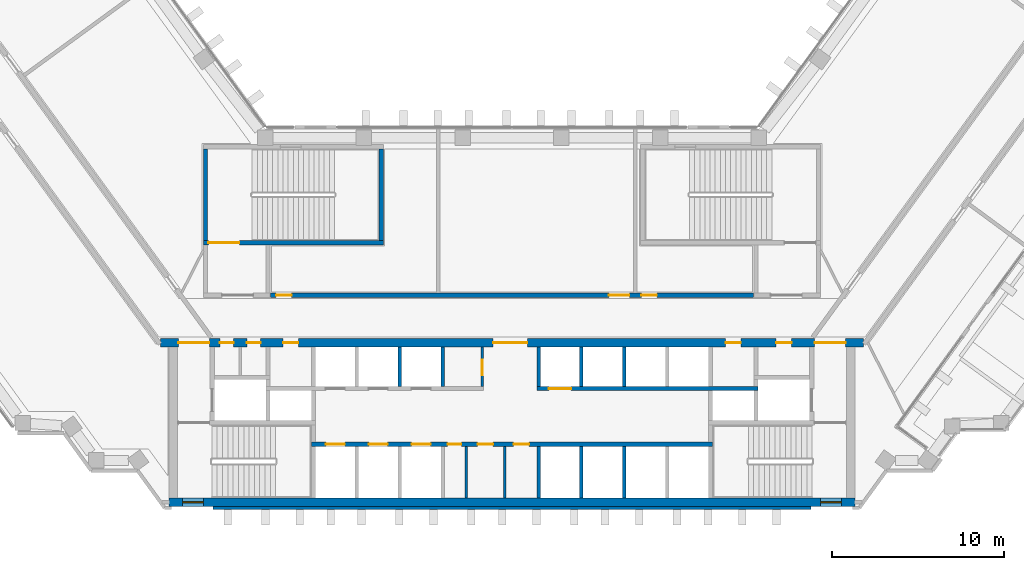
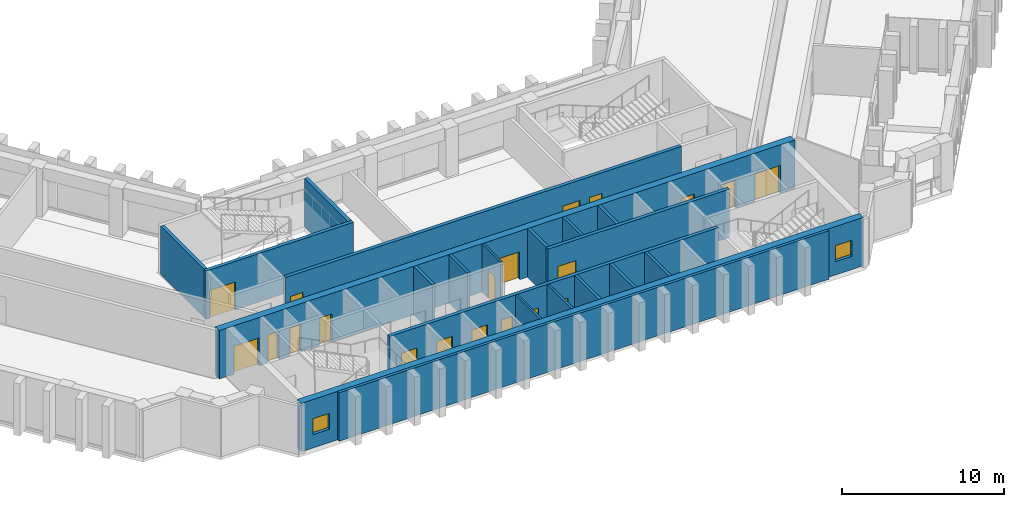
# One storey, part 7 of 14: 20 doors, 20 walls, 2 windows, 22 openings.
"""IFC4 building model written with IfcOpenShell, lengths in metres."""

from ifc_helpers import new_model, si_unit, direction, frame, frame_2d, origin, place, context, subcontext, project, spatial, rectangle, extrude, material, layer, layer_set, type_object, element, fill, save


model = new_model("IFC4")

# Units and contexts
model_context = context("Model", 3, precision=1e-05, world=origin(), true_north=direction((0.0, 1.0)))
body_context = subcontext(model_context, "Body", "Model", "MODEL_VIEW")
ifc_project = project(units=[si_unit("LENGTHUNIT", "METRE"), si_unit("AREAUNIT", "SQUARE_METRE"), si_unit("VOLUMEUNIT", "CUBIC_METRE"), si_unit("PLANEANGLEUNIT", "RADIAN"), si_unit("MASSUNIT", "GRAM", prefix="KILO")], contexts=[model_context])

# Site, building, storey
site_placement = place(None, origin())
site = spatial("IfcSite", under=ifc_project, at=site_placement, CompositionType="ELEMENT")
building_placement = place(site_placement, origin())
building = spatial("IfcBuilding", under=site, at=building_placement, Name="Quipu Civic Tower", CompositionType="ELEMENT")
storey_placement = place(building_placement, frame((0.0, 0.0, 105.0)))
storey = spatial("IfcBuildingStorey", under=building, at=storey_placement, Name="L24", CompositionType="ELEMENT", Elevation=105.0)

# Wall, openings, doors
ifc_material_1 = material(Name="Concrete C70/85", Category="concrete")
ifc_layer_1 = layer(ifc_material_1, 0.25)
ifc_layer_set_1 = layer_set([ifc_layer_1], Name="Concrete C70/85")
wall_type_1 = type_object("IfcWallType", Name="Core wall 250", PredefinedType="SHEAR", material=ifc_layer_set_1)
wall_1_placement = place(storey_placement, frame((11.699951171875, -7.375, 0.0), z_axis=(0.0, 0.0, 1.0), x_axis=(-1.0, 0.0, 0.0)))
wall_1 = element("IfcWall", 1, at=wall_1_placement, inside=storey, type_object=wall_type_1, Name="Core wall", PredefinedType="SHEAR", context=body_context, shape_type="SweptSolid", body=[
    extrude(rectangle(XDim=23.39990234375, YDim=0.25, at=frame_2d((11.699951171875, 0.0))), origin(), (0.0, 0.0, 1.0), 3.64990234375),
])
opening_1_placement = place(wall_1_placement, frame((21.449951171875, 0.0, 0.0)))
opening_1 = element("IfcOpeningElement", 2, at=opening_1_placement, cuts=wall_1, Name="Opening LD-LL1", PredefinedType="OPENING", context=body_context, shape_type="SweptSolid", body=[
    extrude(rectangle(XDim=1.10009765625, YDim=2.10009765625, at=frame_2d((0.550048828125, 1.050048828125))), frame((0.0, 0.135009765625, 0.0), z_axis=(0.0, -1.0, 0.0), x_axis=(1.0, 0.0, 0.0)), (0.0, 0.0, 1.0), 0.27001953125),
])
opening_2_placement = place(wall_1_placement, frame((18.949951171875, 0.0, 0.0)))
opening_2 = element("IfcOpeningElement", 3, at=opening_2_placement, cuts=wall_1, Name="Opening LD-LL2", PredefinedType="OPENING", context=body_context, shape_type="SweptSolid", body=[
    extrude(rectangle(XDim=1.10009765625, YDim=2.10009765625, at=frame_2d((0.550048828125, 1.050048828125))), frame((0.0, 0.135009765625, 0.0), z_axis=(0.0, -1.0, 0.0), x_axis=(1.0, 0.0, 0.0)), (0.0, 0.0, 1.0), 0.27001953125),
])
opening_3_placement = place(wall_1_placement, frame((16.449951171875, 0.0, 0.0)))
opening_3 = element("IfcOpeningElement", 4, at=opening_3_placement, cuts=wall_1, Name="Opening LD-LL3", PredefinedType="OPENING", context=body_context, shape_type="SweptSolid", body=[
    extrude(rectangle(XDim=1.10009765625, YDim=2.10009765625, at=frame_2d((0.550048828125, 1.050048828125))), frame((0.0, 0.135009765625, 0.0), z_axis=(0.0, -1.0, 0.0), x_axis=(1.0, 0.0, 0.0)), (0.0, 0.0, 1.0), 0.27001953125),
])
opening_4_placement = place(wall_1_placement, frame((14.64990234375, 0.0, 0.0)))
opening_4 = element("IfcOpeningElement", 5, at=opening_4_placement, cuts=wall_1, Name="Opening CD-01", PredefinedType="OPENING", context=body_context, shape_type="SweptSolid", body=[
    extrude(rectangle(XDim=0.800048828125, YDim=2.10009765625, at=frame_2d((0.39990234375, 1.050048828125))), frame((0.0, 0.135009765625, 0.0), z_axis=(0.0, -1.0, 0.0), x_axis=(1.0, 0.0, 0.0)), (0.0, 0.0, 1.0), 0.27001953125),
])
opening_5_placement = place(wall_1_placement, frame((12.800048828125, 0.0, 0.0)))
opening_5 = element("IfcOpeningElement", 6, at=opening_5_placement, cuts=wall_1, Name="Opening CD-02", PredefinedType="OPENING", context=body_context, shape_type="SweptSolid", body=[
    extrude(rectangle(XDim=0.89990234375, YDim=2.10009765625, at=frame_2d((0.449951171875, 1.050048828125))), frame((0.0, 0.135009765625, 0.0), z_axis=(0.0, -1.0, 0.0), x_axis=(1.0, 0.0, 0.0)), (0.0, 0.0, 1.0), 0.27001953125),
])
opening_6_placement = place(wall_1_placement, frame((10.699951171875, 0.0, 0.0)))
opening_6 = element("IfcOpeningElement", 7, at=opening_6_placement, cuts=wall_1, Name="Opening CD-03", PredefinedType="OPENING", context=body_context, shape_type="SweptSolid", body=[
    extrude(rectangle(XDim=0.89990234375, YDim=2.10009765625, at=frame_2d((0.449951171875, 1.050048828125))), frame((0.0, 0.135009765625, 0.0), z_axis=(0.0, -1.0, 0.0), x_axis=(1.0, 0.0, 0.0)), (0.0, 0.0, 1.0), 0.27001953125),
])
ifc_material_2 = material(Name="Fire rated steel door", Category="steel")
door_type_1 = type_object("IfcDoorType", Name="Fire door FD60 800 x 2100", OperationType="NOTDEFINED", PredefinedType="DOOR", material=ifc_material_2)
door_1_placement = place(opening_4_placement, origin())
door_1 = element("IfcDoor", 8, at=door_1_placement, inside=storey, type_object=door_type_1, Name="Door", OperationType="SINGLE_SWING_RIGHT", OverallHeight=2.10009765625, OverallWidth=0.800048828125, PredefinedType="DOOR", context=body_context, shape_type="SweptSolid", body=[
    extrude(rectangle(XDim=0.800048828125, YDim=2.10009765625, at=frame_2d((0.39990234375, 1.050048828125))), frame((0.0, 0.02490234375, 0.0), z_axis=(0.0, -1.0, 0.0), x_axis=(1.0, 0.0, 0.0)), (0.0, 0.0, 1.0), 0.050048828125),
])
fill(opening_4, door_1)
ifc_material_3 = material(Name="Fire rated steel door", Category="steel")
door_type_2 = type_object("IfcDoorType", Name="Fire door FD60 900 x 2100", OperationType="NOTDEFINED", PredefinedType="DOOR", material=ifc_material_3)
door_2_placement = place(opening_5_placement, origin())
door_2 = element("IfcDoor", 9, at=door_2_placement, inside=storey, type_object=door_type_2, Name="WC door", OperationType="SINGLE_SWING_RIGHT", OverallHeight=2.10009765625, OverallWidth=0.89990234375, PredefinedType="DOOR", context=body_context, shape_type="SweptSolid", body=[
    extrude(rectangle(XDim=0.89990234375, YDim=2.10009765625, at=frame_2d((0.449951171875, 1.050048828125))), frame((0.0, 0.02490234375, 0.0), z_axis=(0.0, -1.0, 0.0), x_axis=(1.0, 0.0, 0.0)), (0.0, 0.0, 1.0), 0.050048828125),
])
fill(opening_5, door_2)
door_3_placement = place(opening_6_placement, origin())
door_3 = element("IfcDoor", 10, at=door_3_placement, inside=storey, type_object=door_type_2, Name="WC door", OperationType="SINGLE_SWING_LEFT", OverallHeight=2.10009765625, OverallWidth=0.89990234375, PredefinedType="DOOR", context=body_context, shape_type="SweptSolid", body=[
    extrude(rectangle(XDim=0.89990234375, YDim=2.10009765625, at=frame_2d((0.449951171875, 1.050048828125))), frame((0.0, 0.02490234375, 0.0), z_axis=(0.0, -1.0, 0.0), x_axis=(1.0, 0.0, 0.0)), (0.0, 0.0, 1.0), 0.050048828125),
])
fill(opening_6, door_3)
ifc_material_4 = material(Name="Stainless steel", Category="steel")
door_type_3 = type_object("IfcDoorType", Name="Lift landing door 1100 x 2100", OperationType="DOUBLE_DOOR_SLIDING", PredefinedType="DOOR", material=ifc_material_4)
door_4_placement = place(opening_1_placement, origin())
door_4 = element("IfcDoor", 11, at=door_4_placement, inside=storey, type_object=door_type_3, Name="Landing door LL1", OperationType="DOUBLE_DOOR_SLIDING", OverallHeight=2.10009765625, OverallWidth=1.10009765625, PredefinedType="DOOR", context=body_context, shape_type="SweptSolid", body=[
    extrude(rectangle(XDim=1.10009765625, YDim=2.10009765625, at=frame_2d((0.550048828125, 1.050048828125))), frame((0.0, 0.02490234375, 0.0), z_axis=(0.0, -1.0, 0.0), x_axis=(1.0, 0.0, 0.0)), (0.0, 0.0, 1.0), 0.050048828125),
])
fill(opening_1, door_4)
door_5_placement = place(opening_2_placement, origin())
door_5 = element("IfcDoor", 12, at=door_5_placement, inside=storey, type_object=door_type_3, Name="Landing door LL2", OperationType="DOUBLE_DOOR_SLIDING", OverallHeight=2.10009765625, OverallWidth=1.10009765625, PredefinedType="DOOR", context=body_context, shape_type="SweptSolid", body=[
    extrude(rectangle(XDim=1.10009765625, YDim=2.10009765625, at=frame_2d((0.550048828125, 1.050048828125))), frame((0.0, 0.02490234375, 0.0), z_axis=(0.0, -1.0, 0.0), x_axis=(1.0, 0.0, 0.0)), (0.0, 0.0, 1.0), 0.050048828125),
])
fill(opening_2, door_5)
door_6_placement = place(opening_3_placement, origin())
door_6 = element("IfcDoor", 13, at=door_6_placement, inside=storey, type_object=door_type_3, Name="Landing door LL3", OperationType="DOUBLE_DOOR_SLIDING", OverallHeight=2.10009765625, OverallWidth=1.10009765625, PredefinedType="DOOR", context=body_context, shape_type="SweptSolid", body=[
    extrude(rectangle(XDim=1.10009765625, YDim=2.10009765625, at=frame_2d((0.550048828125, 1.050048828125))), frame((0.0, 0.02490234375, 0.0), z_axis=(0.0, -1.0, 0.0), x_axis=(1.0, 0.0, 0.0)), (0.0, 0.0, 1.0), 0.050048828125),
])
fill(opening_3, door_6)

# Wall, opening, door
wall_2_placement = place(storey_placement, frame((1.449951171875, -4.125, 0.0), z_axis=(0.0, 0.0, 1.0), x_axis=(1.0, 0.0, 0.0)))
wall_2 = element("IfcWall", 14, at=wall_2_placement, inside=storey, type_object=wall_type_1, Name="Core wall", PredefinedType="SHEAR", context=body_context, shape_type="SweptSolid", body=[
    extrude(rectangle(XDim=12.900146484375, YDim=0.25, at=frame_2d((6.4501953125, 0.0))), origin(), (0.0, 0.0, 1.0), 3.64990234375),
])
opening_7_placement = place(wall_2_placement, frame((0.699951171875, 0.0, 0.0)))
opening_7 = element("IfcOpeningElement", 15, at=opening_7_placement, cuts=wall_2, Name="Opening LD-FF3", PredefinedType="OPENING", context=body_context, shape_type="SweptSolid", body=[
    extrude(rectangle(XDim=1.300048828125, YDim=2.10009765625, at=frame_2d((0.64990234375, 1.050048828125))), frame((0.0, 0.135009765625, 0.0), z_axis=(0.0, -1.0, 0.0), x_axis=(1.0, 0.0, 0.0)), (0.0, 0.0, 1.0), 0.27001953125),
])
ifc_material_5 = material(Name="Stainless steel", Category="steel")
door_type_4 = type_object("IfcDoorType", Name="Lift landing door 1300 x 2100", OperationType="DOUBLE_DOOR_SLIDING", PredefinedType="DOOR", material=ifc_material_5)
door_7_placement = place(opening_7_placement, origin())
door_7 = element("IfcDoor", 16, at=door_7_placement, inside=storey, type_object=door_type_4, Name="Landing door FF3", OperationType="DOUBLE_DOOR_SLIDING", OverallHeight=2.10009765625, OverallWidth=1.300048828125, PredefinedType="DOOR", context=body_context, shape_type="SweptSolid", body=[
    extrude(rectangle(XDim=1.300048828125, YDim=2.10009765625, at=frame_2d((0.64990234375, 1.050048828125))), frame((0.0, 0.02490234375, 0.0), z_axis=(0.0, -1.0, 0.0), x_axis=(1.0, 0.0, 0.0)), (0.0, 0.0, 1.0), 0.050048828125),
])
fill(opening_7, door_7)

wall_3_placement = place(storey_placement, frame((-18.0, 4.375, 0.0), z_axis=(0.0, 0.0, 1.0), x_axis=(1.0, 0.0, 0.0)))
wall_3 = element("IfcWall", 17, at=wall_3_placement, inside=storey, type_object=wall_type_1, Name="Core wall", PredefinedType="SHEAR", context=body_context, shape_type="SweptSolid", body=[
    extrude(rectangle(XDim=10.5, YDim=0.25, at=frame_2d((5.25, 0.0))), origin(), (0.0, 0.0, 1.0), 3.64990234375),
])
opening_8_placement = place(wall_3_placement, frame((0.300048828125, 0.0, 0.0)))
opening_8 = element("IfcOpeningElement", 18, at=opening_8_placement, cuts=wall_3, Name="Opening CD-16", PredefinedType="OPENING", context=body_context, shape_type="SweptSolid", body=[
    extrude(rectangle(XDim=1.800048828125, YDim=2.10009765625, at=frame_2d((0.89990234375, 1.050048828125))), frame((0.0, 0.135009765625, 0.0), z_axis=(0.0, -1.0, 0.0), x_axis=(1.0, 0.0, 0.0)), (0.0, 0.0, 1.0), 0.27001953125),
])
ifc_material_6 = material(Name="Fire rated steel door", Category="steel")
door_type_5 = type_object("IfcDoorType", Name="Fire door FD90 double 1800 x 2100", OperationType="NOTDEFINED", PredefinedType="DOOR", material=ifc_material_6)
door_8_placement = place(opening_8_placement, origin())
door_8 = element("IfcDoor", 19, at=door_8_placement, inside=storey, type_object=door_type_5, Name="Door", OperationType="DOUBLE_DOOR_SINGLE_SWING", OverallHeight=2.10009765625, OverallWidth=1.800048828125, PredefinedType="DOOR", context=body_context, shape_type="SweptSolid", body=[
    extrude(rectangle(XDim=1.800048828125, YDim=2.10009765625, at=frame_2d((0.89990234375, 1.050048828125))), frame((0.0, 0.02490234375, 0.0), z_axis=(0.0, -1.0, 0.0), x_axis=(1.0, 0.0, 0.0)), (0.0, 0.0, 1.0), 0.050048828125),
])
fill(opening_8, door_8)

# Walls
for number, where, z_axis, x_axis, name in (
    (20, (-17.875, 4.5, 0.0), (0.0, 0.0, 1.0), (0.0, 1.0, 0.0), "Core wall"),
    (21, (-7.625, 4.5, 0.0), (0.0, 0.0, 1.0), (0.0, 1.0, 0.0), "Core wall"),
):
    element("IfcWall", number, at=place(storey_placement, frame(where, z_axis=z_axis, x_axis=x_axis)), inside=storey, type_object=wall_type_1, Name=name, PredefinedType="SHEAR", context=body_context, shape_type="SweptSolid", body=[
        extrude(rectangle(XDim=5.35009765625, YDim=0.25, at=frame_2d((2.675048828125, 0.0))), origin(), (0.0, 0.0, 1.0), 3.64990234375),
    ])

# Wall, openings, windows
ifc_material_7 = material(Name="Concrete C70/85", Category="concrete")
ifc_layer_2 = layer(ifc_material_7, 0.5)
ifc_layer_set_2 = layer_set([ifc_layer_2], Name="Concrete C70/85")
wall_type_2 = type_object("IfcWallType", Name="Core wall 500", PredefinedType="SHEAR", material=ifc_layer_set_2)
wall_4_placement = place(storey_placement, frame((-20.0, -10.75, 0.0), z_axis=(0.0, 0.0, 1.0), x_axis=(1.0, 0.0, 0.0)))
wall_4 = element("IfcWall", 22, at=wall_4_placement, inside=storey, type_object=wall_type_2, Name="Core wall", PredefinedType="SHEAR", context=body_context, shape_type="SweptSolid", body=[
    extrude(rectangle(XDim=40.0, YDim=0.5, at=frame_2d((20.0, 0.0))), origin(), (0.0, 0.0, 1.0), 3.64990234375),
])
opening_9_placement = place(wall_4_placement, frame((0.800048828125, 0.0, 1.0)))
opening_9 = element("IfcOpeningElement", 23, at=opening_9_placement, cuts=wall_4, Name="Opening SV-1", PredefinedType="OPENING", context=body_context, shape_type="SweptSolid", body=[
    extrude(rectangle(XDim=1.199951171875, YDim=1.199951171875, at=frame_2d((0.60009765625, 0.60009765625))), frame((0.0, 0.260009765625, 0.0), z_axis=(0.0, -1.0, 0.0), x_axis=(1.0, 0.0, 0.0)), (0.0, 0.0, 1.0), 0.52001953125),
])
opening_10_placement = place(wall_4_placement, frame((38.0, 0.0, 1.0)))
opening_10 = element("IfcOpeningElement", 24, at=opening_10_placement, cuts=wall_4, Name="Opening SV-2", PredefinedType="OPENING", context=body_context, shape_type="SweptSolid", body=[
    extrude(rectangle(XDim=1.199951171875, YDim=1.199951171875, at=frame_2d((0.60009765625, 0.60009765625))), frame((0.0, 0.260009765625, 0.0), z_axis=(0.0, -1.0, 0.0), x_axis=(1.0, 0.0, 0.0)), (0.0, 0.0, 1.0), 0.52001953125),
])
ifc_material_8 = material(Name="Aluminium louvre", Category="aluminium")
window_type = type_object("IfcWindowType", Name="Stair ventilation louvre 1200 x 1200", PartitioningType="SINGLE_PANEL", PredefinedType="WINDOW", material=ifc_material_8)
window_1_placement = place(opening_9_placement, origin())
window_1 = element("IfcWindow", 25, at=window_1_placement, inside=storey, type_object=window_type, Name="Stair ventilation opening", OverallHeight=1.199951171875, OverallWidth=1.199951171875, PartitioningType="SINGLE_PANEL", PredefinedType="WINDOW", context=body_context, shape_type="SweptSolid", body=[
    extrude(rectangle(XDim=1.199951171875, YDim=1.199951171875, at=frame_2d((0.60009765625, 0.60009765625))), frame((0.0, 0.030029296875, 0.0), z_axis=(0.0, -1.0, 0.0), x_axis=(1.0, 0.0, 0.0)), (0.0, 0.0, 1.0), 0.06005859375),
])
fill(opening_9, window_1)
window_2_placement = place(opening_10_placement, origin())
window_2 = element("IfcWindow", 26, at=window_2_placement, inside=storey, type_object=window_type, Name="Stair ventilation opening", OverallHeight=1.199951171875, OverallWidth=1.199951171875, PartitioningType="SINGLE_PANEL", PredefinedType="WINDOW", context=body_context, shape_type="SweptSolid", body=[
    extrude(rectangle(XDim=1.199951171875, YDim=1.199951171875, at=frame_2d((0.60009765625, 0.60009765625))), frame((0.0, 0.030029296875, 0.0), z_axis=(0.0, -1.0, 0.0), x_axis=(1.0, 0.0, 0.0)), (0.0, 0.0, 1.0), 0.06005859375),
])
fill(opening_10, window_2)

# Wall, openings, doors
wall_5_placement = place(storey_placement, frame((20.489990234375, -1.449951171875, 0.0), z_axis=(0.0, 0.0, 1.0), x_axis=(-1.0, 0.0, 0.0)))
wall_5 = element("IfcWall", 27, at=wall_5_placement, inside=storey, type_object=wall_type_2, Name="Core wall", PredefinedType="SHEAR", context=body_context, shape_type="SweptSolid", body=[
    extrude(rectangle(XDim=40.97998046875, YDim=0.5, at=frame_2d((20.489990234375, 0.0))), origin(), (0.0, 0.0, 1.0), 3.64990234375),
])
opening_11_placement = place(wall_5_placement, frame((38.139892578125, 0.0, 0.0)))
opening_11 = element("IfcOpeningElement", 28, at=opening_11_placement, cuts=wall_5, Name="Opening CD-07", PredefinedType="OPENING", context=body_context, shape_type="SweptSolid", body=[
    extrude(rectangle(XDim=1.800048828125, YDim=2.10009765625, at=frame_2d((0.89990234375, 1.050048828125))), frame((0.0, 0.260009765625, 0.0), z_axis=(0.0, -1.0, 0.0), x_axis=(1.0, 0.0, 0.0)), (0.0, 0.0, 1.0), 0.52001953125),
])
opening_12_placement = place(wall_5_placement, frame((36.7275390625, 0.0, 0.0)))
opening_12 = element("IfcOpeningElement", 29, at=opening_12_placement, cuts=wall_5, Name="Opening CD-08", PredefinedType="OPENING", context=body_context, shape_type="SweptSolid", body=[
    extrude(rectangle(XDim=0.800048828125, YDim=2.10009765625, at=frame_2d((0.39990234375, 1.050048828125))), frame((0.0, 0.260009765625, 0.0), z_axis=(0.0, -1.0, 0.0), x_axis=(1.0, 0.0, 0.0)), (0.0, 0.0, 1.0), 0.52001953125),
])
opening_13_placement = place(wall_5_placement, frame((35.152587890625, 0.0, 0.0)))
opening_13 = element("IfcOpeningElement", 30, at=opening_13_placement, cuts=wall_5, Name="Opening CD-09", PredefinedType="OPENING", context=body_context, shape_type="SweptSolid", body=[
    extrude(rectangle(XDim=0.800048828125, YDim=2.10009765625, at=frame_2d((0.39990234375, 1.050048828125))), frame((0.0, 0.260009765625, 0.0), z_axis=(0.0, -1.0, 0.0), x_axis=(1.0, 0.0, 0.0)), (0.0, 0.0, 1.0), 0.52001953125),
])
opening_14_placement = place(wall_5_placement, frame((32.93994140625, 0.0, 0.0)))
opening_14 = element("IfcOpeningElement", 31, at=opening_14_placement, cuts=wall_5, Name="Opening CD-10", PredefinedType="OPENING", context=body_context, shape_type="SweptSolid", body=[
    extrude(rectangle(XDim=0.89990234375, YDim=2.10009765625, at=frame_2d((0.449951171875, 1.050048828125))), frame((0.0, 0.260009765625, 0.0), z_axis=(0.0, -1.0, 0.0), x_axis=(1.0, 0.0, 0.0)), (0.0, 0.0, 1.0), 0.52001953125),
])
opening_15_placement = place(wall_5_placement, frame((19.590087890625, 0.0, 0.0)))
opening_15 = element("IfcOpeningElement", 32, at=opening_15_placement, cuts=wall_5, Name="Opening CD-11", PredefinedType="OPENING", context=body_context, shape_type="SweptSolid", body=[
    extrude(rectangle(XDim=2.0, YDim=2.10009765625, at=frame_2d((1.0, 1.050048828125))), frame((0.0, 0.260009765625, 0.0), z_axis=(0.0, -1.0, 0.0), x_axis=(1.0, 0.0, 0.0)), (0.0, 0.0, 1.0), 0.52001953125),
])
opening_16_placement = place(wall_5_placement, frame((7.139892578125, 0.0, 0.0)))
opening_16 = element("IfcOpeningElement", 33, at=opening_16_placement, cuts=wall_5, Name="Opening CD-12", PredefinedType="OPENING", context=body_context, shape_type="SweptSolid", body=[
    extrude(rectangle(XDim=0.89990234375, YDim=2.10009765625, at=frame_2d((0.449951171875, 1.050048828125))), frame((0.0, 0.260009765625, 0.0), z_axis=(0.0, -1.0, 0.0), x_axis=(1.0, 0.0, 0.0)), (0.0, 0.0, 1.0), 0.52001953125),
])
opening_17_placement = place(wall_5_placement, frame((4.18994140625, 0.0, 0.0)))
opening_17 = element("IfcOpeningElement", 34, at=opening_17_placement, cuts=wall_5, Name="Opening CD-13", PredefinedType="OPENING", context=body_context, shape_type="SweptSolid", body=[
    extrude(rectangle(XDim=0.89990234375, YDim=2.10009765625, at=frame_2d((0.449951171875, 1.050048828125))), frame((0.0, 0.260009765625, 0.0), z_axis=(0.0, -1.0, 0.0), x_axis=(1.0, 0.0, 0.0)), (0.0, 0.0, 1.0), 0.52001953125),
])
opening_18_placement = place(wall_5_placement, frame((1.0400390625, 0.0, 0.0)))
opening_18 = element("IfcOpeningElement", 35, at=opening_18_placement, cuts=wall_5, Name="Opening CD-14", PredefinedType="OPENING", context=body_context, shape_type="SweptSolid", body=[
    extrude(rectangle(XDim=1.800048828125, YDim=2.10009765625, at=frame_2d((0.89990234375, 1.050048828125))), frame((0.0, 0.260009765625, 0.0), z_axis=(0.0, -1.0, 0.0), x_axis=(1.0, 0.0, 0.0)), (0.0, 0.0, 1.0), 0.52001953125),
])
door_9_placement = place(opening_12_placement, origin())
door_9 = element("IfcDoor", 36, at=door_9_placement, inside=storey, type_object=door_type_1, Name="Door", OperationType="SINGLE_SWING_RIGHT", OverallHeight=2.10009765625, OverallWidth=0.800048828125, PredefinedType="DOOR", context=body_context, shape_type="SweptSolid", body=[
    extrude(rectangle(XDim=0.800048828125, YDim=2.10009765625, at=frame_2d((0.39990234375, 1.050048828125))), frame((0.0, 0.02490234375, 0.0), z_axis=(0.0, -1.0, 0.0), x_axis=(1.0, 0.0, 0.0)), (0.0, 0.0, 1.0), 0.050048828125),
])
fill(opening_12, door_9)
door_10_placement = place(opening_13_placement, origin())
door_10 = element("IfcDoor", 37, at=door_10_placement, inside=storey, type_object=door_type_1, Name="Door", OperationType="SINGLE_SWING_RIGHT", OverallHeight=2.10009765625, OverallWidth=0.800048828125, PredefinedType="DOOR", context=body_context, shape_type="SweptSolid", body=[
    extrude(rectangle(XDim=0.800048828125, YDim=2.10009765625, at=frame_2d((0.39990234375, 1.050048828125))), frame((0.0, 0.02490234375, 0.0), z_axis=(0.0, -1.0, 0.0), x_axis=(1.0, 0.0, 0.0)), (0.0, 0.0, 1.0), 0.050048828125),
])
fill(opening_13, door_10)
door_11_placement = place(opening_14_placement, origin())
door_11 = element("IfcDoor", 38, at=door_11_placement, inside=storey, type_object=door_type_2, Name="Riser door", OperationType="SINGLE_SWING_RIGHT", OverallHeight=2.10009765625, OverallWidth=0.89990234375, PredefinedType="DOOR", context=body_context, shape_type="SweptSolid", body=[
    extrude(rectangle(XDim=0.89990234375, YDim=2.10009765625, at=frame_2d((0.449951171875, 1.050048828125))), frame((0.0, 0.02490234375, 0.0), z_axis=(0.0, -1.0, 0.0), x_axis=(1.0, 0.0, 0.0)), (0.0, 0.0, 1.0), 0.050048828125),
])
fill(opening_14, door_11)
door_12_placement = place(opening_16_placement, origin())
door_12 = element("IfcDoor", 39, at=door_12_placement, inside=storey, type_object=door_type_2, Name="Riser door", OperationType="SINGLE_SWING_LEFT", OverallHeight=2.10009765625, OverallWidth=0.89990234375, PredefinedType="DOOR", context=body_context, shape_type="SweptSolid", body=[
    extrude(rectangle(XDim=0.89990234375, YDim=2.10009765625, at=frame_2d((0.449951171875, 1.050048828125))), frame((0.0, 0.02490234375, 0.0), z_axis=(0.0, -1.0, 0.0), x_axis=(1.0, 0.0, 0.0)), (0.0, 0.0, 1.0), 0.050048828125),
])
fill(opening_16, door_12)
door_13_placement = place(opening_17_placement, origin())
door_13 = element("IfcDoor", 40, at=door_13_placement, inside=storey, type_object=door_type_2, Name="Door", OperationType="SINGLE_SWING_LEFT", OverallHeight=2.10009765625, OverallWidth=0.89990234375, PredefinedType="DOOR", context=body_context, shape_type="SweptSolid", body=[
    extrude(rectangle(XDim=0.89990234375, YDim=2.10009765625, at=frame_2d((0.449951171875, 1.050048828125))), frame((0.0, 0.02490234375, 0.0), z_axis=(0.0, -1.0, 0.0), x_axis=(1.0, 0.0, 0.0)), (0.0, 0.0, 1.0), 0.050048828125),
])
fill(opening_17, door_13)
door_14_placement = place(opening_11_placement, origin())
door_14 = element("IfcDoor", 41, at=door_14_placement, inside=storey, type_object=door_type_5, Name="Lobby door", OperationType="DOUBLE_DOOR_SINGLE_SWING", OverallHeight=2.10009765625, OverallWidth=1.800048828125, PredefinedType="DOOR", context=body_context, shape_type="SweptSolid", body=[
    extrude(rectangle(XDim=1.800048828125, YDim=2.10009765625, at=frame_2d((0.89990234375, 1.050048828125))), frame((0.0, 0.02490234375, 0.0), z_axis=(0.0, -1.0, 0.0), x_axis=(1.0, 0.0, 0.0)), (0.0, 0.0, 1.0), 0.050048828125),
])
fill(opening_11, door_14)
door_15_placement = place(opening_18_placement, origin())
door_15 = element("IfcDoor", 42, at=door_15_placement, inside=storey, type_object=door_type_5, Name="Lobby door", OperationType="DOUBLE_DOOR_SINGLE_SWING", OverallHeight=2.10009765625, OverallWidth=1.800048828125, PredefinedType="DOOR", context=body_context, shape_type="SweptSolid", body=[
    extrude(rectangle(XDim=1.800048828125, YDim=2.10009765625, at=frame_2d((0.89990234375, 1.050048828125))), frame((0.0, 0.02490234375, 0.0), z_axis=(0.0, -1.0, 0.0), x_axis=(1.0, 0.0, 0.0)), (0.0, 0.0, 1.0), 0.050048828125),
])
fill(opening_18, door_15)
ifc_material_9 = material(Name="Fire rated steel door", Category="steel")
door_type_6 = type_object("IfcDoorType", Name="Fire door FD90 double 2000 x 2100", OperationType="NOTDEFINED", PredefinedType="DOOR", material=ifc_material_9)
door_16_placement = place(opening_15_placement, origin())
door_16 = element("IfcDoor", 43, at=door_16_placement, inside=storey, type_object=door_type_6, Name="Lobby door", OperationType="DOUBLE_DOOR_SINGLE_SWING", OverallHeight=2.10009765625, OverallWidth=2.0, PredefinedType="DOOR", context=body_context, shape_type="SweptSolid", body=[
    extrude(rectangle(XDim=2.0, YDim=2.10009765625, at=frame_2d((1.0, 1.050048828125))), frame((0.0, 0.02490234375, 0.0), z_axis=(0.0, -1.0, 0.0), x_axis=(1.0, 0.0, 0.0)), (0.0, 0.0, 1.0), 0.050048828125),
])
fill(opening_15, door_16)

ifc_material_10 = material(Name="Concrete C50/60", Category="concrete")
ifc_layer_3 = layer(ifc_material_10, 0.25)
ifc_layer_set_3 = layer_set([ifc_layer_3], Name="Concrete C50/60")
wall_type_3 = type_object("IfcWallType", Name="Corridor wall 250 concrete", PredefinedType="SOLIDWALL", material=ifc_layer_set_3)
wall_6_placement = place(storey_placement, frame((-14.090087890625, 1.324951171875, 0.0), z_axis=(0.0, 0.0, 1.0), x_axis=(1.0, 0.0, 0.0)))
wall_6 = element("IfcWall", 44, at=wall_6_placement, inside=storey, type_object=wall_type_3, Name="Corridor wall C05", PredefinedType="SOLIDWALL", context=body_context, shape_type="SweptSolid", body=[
    extrude(rectangle(XDim=28.18017578125, YDim=0.25, at=frame_2d((14.090087890625, 0.0))), origin(), (0.0, 0.0, 1.0), 3.64990234375),
])
opening_19_placement = place(wall_6_placement, frame((19.738037109375, 0.0, 0.0)))
opening_19 = element("IfcOpeningElement", 45, at=opening_19_placement, cuts=wall_6, Name="Opening D007", PredefinedType="OPENING", context=body_context, shape_type="SweptSolid", body=[
    extrude(rectangle(XDim=1.199951171875, YDim=2.10009765625, at=frame_2d((0.60009765625, 1.050048828125))), frame((0.0, 0.135009765625, 0.0), z_axis=(0.0, -1.0, 0.0), x_axis=(1.0, 0.0, 0.0)), (0.0, 0.0, 1.0), 0.27001953125),
])
opening_20_placement = place(wall_6_placement, frame((0.340087890625, 0.0, 0.0)))
opening_20 = element("IfcOpeningElement", 46, at=opening_20_placement, cuts=wall_6, Name="Opening D006", PredefinedType="OPENING", context=body_context, shape_type="SweptSolid", body=[
    extrude(rectangle(XDim=0.89990234375, YDim=2.10009765625, at=frame_2d((0.449951171875, 1.050048828125))), frame((0.0, 0.135009765625, 0.0), z_axis=(0.0, -1.0, 0.0), x_axis=(1.0, 0.0, 0.0)), (0.0, 0.0, 1.0), 0.27001953125),
])
opening_21_placement = place(wall_6_placement, frame((21.637939453125, 0.0, 0.0)))
opening_21 = element("IfcOpeningElement", 47, at=opening_21_placement, cuts=wall_6, Name="Opening D008", PredefinedType="OPENING", context=body_context, shape_type="SweptSolid", body=[
    extrude(rectangle(XDim=0.89990234375, YDim=2.10009765625, at=frame_2d((0.449951171875, 1.050048828125))), frame((0.0, 0.135009765625, 0.0), z_axis=(0.0, -1.0, 0.0), x_axis=(1.0, 0.0, 0.0)), (0.0, 0.0, 1.0), 0.27001953125),
])
ifc_material_11 = material(Name="Fire rated timber door set with metal frame", Category="wood")
door_type_7 = type_object("IfcDoorType", Name="Single door 1200 x 2100 FD60", OperationType="NOTDEFINED", PredefinedType="DOOR", material=ifc_material_11)
door_17_placement = place(opening_19_placement, origin())
door_17 = element("IfcDoor", 48, at=door_17_placement, inside=storey, type_object=door_type_7, Name="Door D007", OperationType="SINGLE_SWING_RIGHT", OverallHeight=2.10009765625, OverallWidth=1.199951171875, PredefinedType="DOOR", context=body_context, shape_type="SweptSolid", body=[
    extrude(rectangle(XDim=1.199951171875, YDim=2.10009765625, at=frame_2d((0.60009765625, 1.050048828125))), frame((0.0, 0.02490234375, 0.0), z_axis=(0.0, -1.0, 0.0), x_axis=(1.0, 0.0, 0.0)), (0.0, 0.0, 1.0), 0.050048828125),
])
fill(opening_19, door_17)
ifc_material_12 = material(Name="Fire rated timber door set with metal frame", Category="wood")
door_type_8 = type_object("IfcDoorType", Name="Single door 900 x 2100 FD60", OperationType="NOTDEFINED", PredefinedType="DOOR", material=ifc_material_12)
door_18_placement = place(opening_20_placement, origin())
door_18 = element("IfcDoor", 49, at=door_18_placement, inside=storey, type_object=door_type_8, Name="Door D006", OperationType="SINGLE_SWING_LEFT", OverallHeight=2.10009765625, OverallWidth=0.89990234375, PredefinedType="DOOR", context=body_context, shape_type="SweptSolid", body=[
    extrude(rectangle(XDim=0.89990234375, YDim=2.10009765625, at=frame_2d((0.449951171875, 1.050048828125))), frame((0.0, 0.02490234375, 0.0), z_axis=(0.0, -1.0, 0.0), x_axis=(1.0, 0.0, 0.0)), (0.0, 0.0, 1.0), 0.050048828125),
])
fill(opening_20, door_18)
door_19_placement = place(opening_21_placement, origin())
door_19 = element("IfcDoor", 50, at=door_19_placement, inside=storey, type_object=door_type_8, Name="Door D008", OperationType="SINGLE_SWING_LEFT", OverallHeight=2.10009765625, OverallWidth=0.89990234375, PredefinedType="DOOR", context=body_context, shape_type="SweptSolid", body=[
    extrude(rectangle(XDim=0.89990234375, YDim=2.10009765625, at=frame_2d((0.449951171875, 1.050048828125))), frame((0.0, 0.02490234375, 0.0), z_axis=(0.0, -1.0, 0.0), x_axis=(1.0, 0.0, 0.0)), (0.0, 0.0, 1.0), 0.050048828125),
])
fill(opening_21, door_19)

# Walls
ifc_material_13 = material(Name="Gypsum board partition")
ifc_layer_4 = layer(ifc_material_13, 0.14990234375)
ifc_layer_set_4 = layer_set([ifc_layer_4], Name="Gypsum board partition")
wall_type_4 = type_object("IfcWallType", Name="Partition 150", PredefinedType="PARTITIONING", material=ifc_layer_set_4)
for number, where, z_axis, x_axis, name in (
    (51, (-2.675048828125, -10.5, 0.0), (0.0, 0.0, 1.0), (0.0, 1.0, 0.0), "Partition"),
    (52, (-0.425048828125, -10.5, 0.0), (0.0, 0.0, 1.0), (0.0, 1.0, 0.0), "Partition"),
):
    element("IfcWall", number, at=place(storey_placement, frame(where, z_axis=z_axis, x_axis=x_axis)), inside=storey, type_object=wall_type_4, Name=name, PredefinedType="PARTITIONING", context=body_context, shape_type="SweptSolid", body=[
        extrude(rectangle(XDim=3.0, YDim=0.14990234375, at=frame_2d((1.5, 0.0))), origin(), (0.0, 0.0, 1.0), 3.64990234375),
    ])

# Wall, opening, door
wall_7_placement = place(storey_placement, frame((-1.72509765625, -1.699951171875, 0.0), z_axis=(0.0, 0.0, 1.0), x_axis=(0.0, -1.0, 0.0)))
wall_7 = element("IfcWall", 53, at=wall_7_placement, inside=storey, type_object=wall_type_4, Name="Partition", PredefinedType="PARTITIONING", context=body_context, shape_type="SweptSolid", body=[
    extrude(rectangle(XDim=2.300048828125, YDim=0.14990234375, at=frame_2d((1.14990234375, 0.0))), origin(), (0.0, 0.0, 1.0), 3.64990234375),
])
opening_22_placement = place(wall_7_placement, frame((0.75, 0.0, 0.0)))
opening_22 = element("IfcOpeningElement", 54, at=opening_22_placement, cuts=wall_7, Name="Opening CD-06", PredefinedType="OPENING", context=body_context, shape_type="SweptSolid", body=[
    extrude(rectangle(XDim=0.89990234375, YDim=2.10009765625, at=frame_2d((0.449951171875, 1.050048828125))), frame((0.0, 0.0849609375, 0.0), z_axis=(0.0, -1.0, 0.0), x_axis=(1.0, 0.0, 0.0)), (0.0, 0.0, 1.0), 0.169921875),
])
door_20_placement = place(opening_22_placement, origin())
door_20 = element("IfcDoor", 55, at=door_20_placement, inside=storey, type_object=door_type_2, Name="WC door", OperationType="SINGLE_SWING_RIGHT", OverallHeight=2.10009765625, OverallWidth=0.89990234375, PredefinedType="DOOR", context=body_context, shape_type="SweptSolid", body=[
    extrude(rectangle(XDim=0.89990234375, YDim=2.10009765625, at=frame_2d((0.449951171875, 1.050048828125))), frame((0.0, 0.02490234375, 0.0), z_axis=(0.0, -1.0, 0.0), x_axis=(1.0, 0.0, 0.0)), (0.0, 0.0, 1.0), 0.050048828125),
])
fill(opening_22, door_20)

# Walls
ifc_material_14 = material(Name="Precast concrete C40/50", Category="concrete")
wall_type_5 = type_object("IfcWallType", Name="Precast cladding wall", PredefinedType="SOLIDWALL", material=ifc_material_14)
wall_8_placement = place(storey_placement, frame((-17.44384765625, -11.087890625, 0.0), z_axis=(0.0, 0.0, 1.0), x_axis=(1.0, 0.0, 0.0)))
element("IfcWall", 56, at=wall_8_placement, inside=storey, type_object=wall_type_5, Name="Precast cladding wall L24 P17", PredefinedType="SOLIDWALL", context=body_context, shape_type="SweptSolid", body=[
    extrude(rectangle(XDim=34.8876953125, YDim=0.199951171875, at=frame_2d((17.44384765625, 0.0))), origin(), (0.0, 0.0, 1.0), 3.64990234375),
])
ifc_material_15 = material(Name="Concrete C40/50", Category="concrete")
ifc_layer_5 = layer(ifc_material_15, 0.199951171875)
ifc_layer_set_5 = layer_set([ifc_layer_5], Name="Concrete C40/50")
wall_type_6 = type_object("IfcWallType", Name="Shaft wall 200", PredefinedType="SOLIDWALL", material=ifc_layer_set_5)
for number, where, z_axis, x_axis, name in (
    (57, (1.550048828125, -10.5, 0.0), (0.0, 0.0, 1.0), (0.0, 1.0, 0.0), "Shaft wall"),
    (58, (4.050048828125, -10.5, 0.0), (0.0, 0.0, 1.0), (0.0, 1.0, 0.0), "Shaft wall"),
    (59, (6.550048828125, -10.5, 0.0), (0.0, 0.0, 1.0), (0.0, 1.0, 0.0), "Shaft wall"),
):
    element("IfcWall", number, at=place(storey_placement, frame(where, z_axis=z_axis, x_axis=x_axis)), inside=storey, type_object=wall_type_6, Name=name, PredefinedType="SOLIDWALL", context=body_context, shape_type="SweptSolid", body=[
        extrude(rectangle(XDim=3.0, YDim=0.199951171875, at=frame_2d((1.5, 0.0))), origin(), (0.0, 0.0, 1.0), 3.64990234375),
    ])
for number, where, z_axis, x_axis, name in (
    (60, (-6.550048828125, -4.0, 0.0), (0.0, 0.0, 1.0), (0.0, 1.0, 0.0), "Shaft wall"),
    (61, (-4.050048828125, -4.0, 0.0), (0.0, 0.0, 1.0), (0.0, 1.0, 0.0), "Shaft wall"),
    (62, (1.550048828125, -4.0, 0.0), (0.0, 0.0, 1.0), (0.0, 1.0, 0.0), "Shaft wall"),
    (63, (4.050048828125, -4.0, 0.0), (0.0, 0.0, 1.0), (0.0, 1.0, 0.0), "Shaft wall"),
    (64, (6.550048828125, -4.0, 0.0), (0.0, 0.0, 1.0), (0.0, 1.0, 0.0), "Shaft wall"),
):
    element("IfcWall", number, at=place(storey_placement, frame(where, z_axis=z_axis, x_axis=x_axis)), inside=storey, type_object=wall_type_6, Name=name, PredefinedType="SOLIDWALL", context=body_context, shape_type="SweptSolid", body=[
        extrude(rectangle(XDim=2.300048828125, YDim=0.199951171875, at=frame_2d((1.14990234375, 0.0))), origin(), (0.0, 0.0, 1.0), 3.64990234375),
    ])

save(model, "model.ifc")
